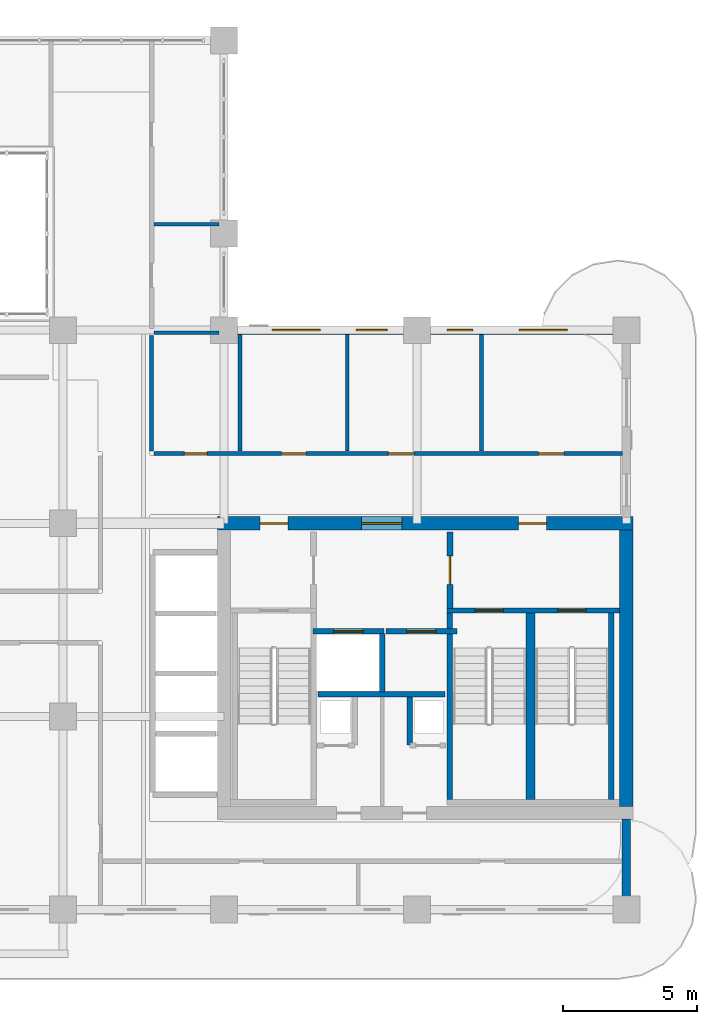
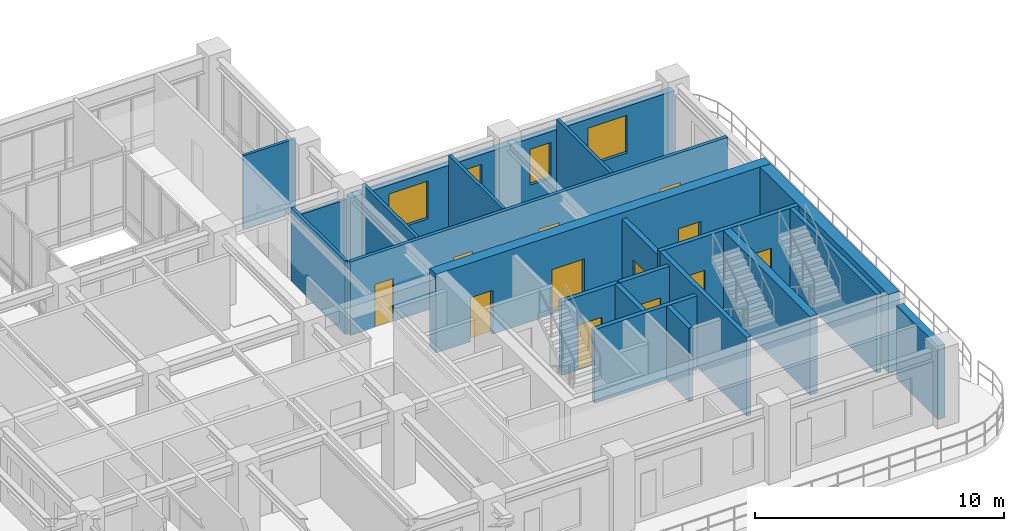
# One storey, part 13 of 20: 21 walls, 12 doors, 4 windows, 16 openings.
"""IFC4 building model written with IfcOpenShell, lengths in metres."""

from ifc_helpers import new_model, si_unit, derived_unit, direction, frame, frame_2d, origin, place, context, subcontext, project, spatial, rectangle, extrude, source, transform, mapped, material, layer, layer_set, type_object, type_shapes, element, fill, save


model = new_model("IFC4")

# Units and contexts
model_context = context("Model", 3, precision=1e-05, world=origin(), true_north=direction((0.0, 1.0)))
body_context = subcontext(model_context, "Body", "Model", "MODEL_VIEW")
ifc_project = project(units=[si_unit("LENGTHUNIT", "METRE"), si_unit("AREAUNIT", "SQUARE_METRE"), si_unit("VOLUMEUNIT", "CUBIC_METRE"), si_unit("PLANEANGLEUNIT", "RADIAN"), si_unit("MASSUNIT", "GRAM", prefix="KILO"), si_unit("THERMODYNAMICTEMPERATUREUNIT", "KELVIN"), si_unit("POWERUNIT", "WATT"), derived_unit("THERMALTRANSMITTANCEUNIT", [(si_unit("POWERUNIT", "WATT"), 1), (si_unit("AREAUNIT", "SQUARE_METRE"), -1), (si_unit("THERMODYNAMICTEMPERATUREUNIT", "KELVIN"), -1)])], contexts=[model_context])

# Site, building, storey
site_placement = place(None, origin())
site = spatial("IfcSite", under=ifc_project, at=site_placement, CompositionType="ELEMENT")
building_placement = place(site_placement, origin())
building = spatial("IfcBuilding", under=site, at=building_placement, Name="Zahravan Archway Hotel and Residences", CompositionType="ELEMENT")
storey_placement = place(building_placement, frame((0.0, 0.0, 154.14990234375)))
storey = spatial("IfcBuildingStorey", under=building, at=storey_placement, Name="L38", CompositionType="ELEMENT", Elevation=154.14990234375)

# Wall, openings, doors
ifc_material_1 = material(Name="Concrete C60/75", Category="concrete")
ifc_layer_1 = layer(ifc_material_1, 0.5, Name="Concrete C60/75", Category="concrete")
ifc_layer_set_1 = layer_set([ifc_layer_1], Name="Concrete C60/75")
wall_type_1 = type_object("IfcWallType", Name="CW-CORE-500", PredefinedType="SHEAR", material=ifc_layer_set_1)
wall_1_placement = place(storey_placement, frame((34.550048828125, 14.39990234375, 0.0), z_axis=(0.0, 0.0, 1.0), x_axis=(1.0, 0.0, 0.0)))
wall_1 = element("IfcWall", 1, at=wall_1_placement, inside=storey, type_object=wall_type_1, Name="L38 Core A Shear N Wall 500 mm", PredefinedType="SHEAR", context=body_context, shape_type="SweptSolid", body=[
    extrude(rectangle(XDim=15.5, YDim=0.5, at=frame_2d((7.75, 0.0))), origin(), (0.0, 0.0, 1.0), 3.85009765625),
])
opening_1_placement = place(wall_1_placement, frame((5.3798828125, 0.0, 0.0)))
opening_1 = element("IfcOpeningElement", 2, at=opening_1_placement, cuts=wall_1, Name="Opening FD-L1", PredefinedType="OPENING", context=body_context, shape_type="SweptSolid", body=[
    extrude(rectangle(XDim=1.5, YDim=2.199951171875, at=frame_2d((0.75, 1.10009765625))), frame((0.0, 0.260009765625, 0.0), z_axis=(0.0, -1.0, 0.0), x_axis=(1.0, 0.0, 0.0)), (0.0, 0.0, 1.0), 0.52001953125),
])
opening_2_placement = place(wall_1_placement, frame((1.594970703125, 0.0, 0.0)))
opening_2 = element("IfcOpeningElement", 3, at=opening_2_placement, cuts=wall_1, Name="Opening FD-L2", PredefinedType="OPENING", context=body_context, shape_type="SweptSolid", body=[
    extrude(rectangle(XDim=1.050048828125, YDim=2.14990234375, at=frame_2d((0.52490234375, 1.074951171875))), frame((0.0, 0.260009765625, 0.0), z_axis=(0.0, -1.0, 0.0), x_axis=(1.0, 0.0, 0.0)), (0.0, 0.0, 1.0), 0.52001953125),
])
opening_3_placement = place(wall_1_placement, frame((11.22509765625, 0.0, 0.0)))
opening_3 = element("IfcOpeningElement", 4, at=opening_3_placement, cuts=wall_1, Name="Opening FD-L2", PredefinedType="OPENING", context=body_context, shape_type="SweptSolid", body=[
    extrude(rectangle(XDim=1.050048828125, YDim=2.14990234375, at=frame_2d((0.52490234375, 1.074951171875))), frame((0.0, 0.260009765625, 0.0), z_axis=(0.0, -1.0, 0.0), x_axis=(1.0, 0.0, 0.0)), (0.0, 0.0, 1.0), 0.52001953125),
])
ifc_material_2 = material(Name="Fire-Rated Painted Steel", Category="steel")
door_type_1 = type_object("IfcDoorType", Name="FD-LOBBY-1100", OperationType="NOTDEFINED", PredefinedType="DOOR", material=ifc_material_2)
shared_shape_1 = source(origin(), body_context, "Body", "SweptSolid", [
    extrude(rectangle(XDim=1.050048828125, YDim=2.14990234375, at=frame_2d((0.52490234375, 1.074951171875))), frame((0.0, 0.02490234375, 0.0), z_axis=(0.0, -1.0, 0.0), x_axis=(1.0, 0.0, 0.0)), (0.0, 0.0, 1.0), 0.050048828125),
])
type_shapes(door_type_1, [shared_shape_1])
door_1_placement = place(opening_2_placement, origin())
door_1 = element("IfcDoor", 5, at=door_1_placement, inside=storey, type_object=door_type_1, Name="L38 Core A West Stair Lobby Door", OperationType="SINGLE_SWING_RIGHT", OverallHeight=2.14990234375, OverallWidth=1.050048828125, PredefinedType="DOOR", context=body_context, shape_type="MappedRepresentation", body=[
    mapped(shared_shape_1, transform((0.0, 0.0, 0.0), scale=1.0)),
])
fill(opening_2, door_1)
door_2_placement = place(opening_3_placement, origin())
door_2 = element("IfcDoor", 6, at=door_2_placement, inside=storey, type_object=door_type_1, Name="L38 Core A East Stair Lobby Door", OperationType="SINGLE_SWING_LEFT", OverallHeight=2.14990234375, OverallWidth=1.050048828125, PredefinedType="DOOR", context=body_context, shape_type="MappedRepresentation", body=[
    mapped(shared_shape_1, transform((0.0, 0.0, 0.0), scale=1.0)),
])
fill(opening_3, door_2)
door_type_2 = type_object("IfcDoorType", Name="FD-LOBBY-1500", OperationType="DOUBLE_DOOR_SINGLE_SWING", PredefinedType="DOOR", material=ifc_material_2)
shared_shape_2 = source(origin(), body_context, "Body", "SweptSolid", [
    extrude(rectangle(XDim=1.5, YDim=2.199951171875, at=frame_2d((0.75, 1.10009765625))), frame((0.0, 0.02490234375, 0.0), z_axis=(0.0, -1.0, 0.0), x_axis=(1.0, 0.0, 0.0)), (0.0, 0.0, 1.0), 0.050048828125),
])
type_shapes(door_type_2, [shared_shape_2])
door_3_placement = place(opening_1_placement, origin())
door_3 = element("IfcDoor", 7, at=door_3_placement, inside=storey, type_object=door_type_2, Name="L38 Core A FSAE Lobby Main Door", OperationType="DOUBLE_DOOR_SINGLE_SWING", OverallHeight=2.199951171875, OverallWidth=1.5, PredefinedType="DOOR", context=body_context, shape_type="MappedRepresentation", body=[
    mapped(shared_shape_2, transform((0.0, 0.0, 0.0), scale=1.0)),
])
fill(opening_1, door_3)

# Walls
wall_2_placement = place(storey_placement, frame((49.800048828125, 3.85009765625, 0.0), z_axis=(0.0, 0.0, 1.0), x_axis=(0.0, 1.0, 0.0)))
element("IfcWall", 8, at=wall_2_placement, inside=storey, type_object=wall_type_1, Name="L38 Core A Shear E Wall 500 mm", PredefinedType="SHEAR", context=body_context, shape_type="SweptSolid", body=[
    extrude(rectangle(XDim=10.2998046875, YDim=0.5, at=frame_2d((5.14990234375, 0.0))), origin(), (0.0, 0.0, 1.0), 3.85009765625),
])
ifc_material_3 = material(Name="Agra Buff Sandstone & Insulated Backup", Category="masonry")
ifc_layer_2 = layer(ifc_material_3, 0.320068359375, Name="Agra Buff Sandstone & Insulated Backup", Category="masonry")
ifc_layer_set_2 = layer_set([ifc_layer_2], Name="Agra Buff Sandstone & Insulated Backup")
wall_type_2 = type_object("IfcWallType", Name="EW-SAND-320", PredefinedType="SOLIDWALL", material=ifc_layer_set_2)
wall_3_placement = place(storey_placement, frame((49.800048828125, 0.050048828125, 0.0), z_axis=(0.0, 0.0, 1.0), x_axis=(0.0, 1.0, 0.0)))
element("IfcWall", 9, at=wall_3_placement, inside=storey, type_object=wall_type_2, Name="L38 Exterior Sandstone Wall WA-ES", PredefinedType="SOLIDWALL", context=body_context, shape_type="SweptSolid", body=[
    extrude(rectangle(XDim=3.329833984375, YDim=0.320068359375, at=frame_2d((1.6650390625, 0.0))), origin(), (0.0, 0.0, 1.0), 3.60009765625),
])

# Wall, openings, windows
wall_4_placement = place(storey_placement, frame((34.800048828125, 21.60009765625, 0.0), z_axis=(0.0, 0.0, 1.0), x_axis=(1.0, 0.0, 0.0)))
wall_4 = element("IfcWall", 10, at=wall_4_placement, inside=storey, type_object=wall_type_2, Name="L38 Exterior Sandstone Wall WA-NE", PredefinedType="SOLIDWALL", context=body_context, shape_type="SweptSolid", body=[
    extrude(rectangle(XDim=15.0, YDim=0.320068359375, at=frame_2d((7.5, 0.0))), origin(), (0.0, 0.0, 1.0), 3.085205078125),
])
opening_4_placement = place(wall_4_placement, frame((1.7958984375, 0.0, 0.800048828125)))
opening_4 = element("IfcOpeningElement", 11, at=opening_4_placement, cuts=wall_4, Name="Opening W-02", PredefinedType="OPENING", context=body_context, shape_type="SweptSolid", body=[
    extrude(rectangle(XDim=1.800048828125, YDim=1.85009765625, at=frame_2d((0.89990234375, 0.925048828125))), frame((0.0, 0.169921875, 0.0), z_axis=(0.0, -1.0, 0.0), x_axis=(1.0, 0.0, 0.0)), (0.0, 0.0, 1.0), 0.340087890625),
])
opening_5_placement = place(wall_4_placement, frame((4.928955078125, 0.0, 0.800048828125)))
opening_5 = element("IfcOpeningElement", 12, at=opening_5_placement, cuts=wall_4, Name="Opening W-05", PredefinedType="OPENING", context=body_context, shape_type="SweptSolid", body=[
    extrude(rectangle(XDim=1.14990234375, YDim=1.800048828125, at=frame_2d((0.574951171875, 0.89990234375))), frame((0.0, 0.169921875, 0.0), z_axis=(0.0, -1.0, 0.0), x_axis=(1.0, 0.0, 0.0)), (0.0, 0.0, 1.0), 0.340087890625),
])
opening_6_placement = place(wall_4_placement, frame((8.321044921875, 0.0, 0.800048828125)))
opening_6 = element("IfcOpeningElement", 13, at=opening_6_placement, cuts=wall_4, Name="Opening W-04", PredefinedType="OPENING", context=body_context, shape_type="SweptSolid", body=[
    extrude(rectangle(XDim=0.949951171875, YDim=1.75, at=frame_2d((0.47509765625, 0.875))), frame((0.0, 0.169921875, 0.0), z_axis=(0.0, -1.0, 0.0), x_axis=(1.0, 0.0, 0.0)), (0.0, 0.0, 1.0), 0.340087890625),
])
opening_7_placement = place(wall_4_placement, frame((11.00390625, 0.0, 0.800048828125)))
opening_7 = element("IfcOpeningElement", 14, at=opening_7_placement, cuts=wall_4, Name="Opening W-02", PredefinedType="OPENING", context=body_context, shape_type="SweptSolid", body=[
    extrude(rectangle(XDim=1.800048828125, YDim=1.85009765625, at=frame_2d((0.89990234375, 0.925048828125))), frame((0.0, 0.169921875, 0.0), z_axis=(0.0, -1.0, 0.0), x_axis=(1.0, 0.0, 0.0)), (0.0, 0.0, 1.0), 0.340087890625),
])
ifc_material_4 = material(Name="Bronze-Anodized Thermal-Break Aluminium & Low-E Glass", Category="aluminium")
window_type_1 = type_object("IfcWindowType", Name="WIN-NAR-950", PartitioningType="SINGLE_PANEL", PredefinedType="WINDOW", material=ifc_material_4)
shared_shape_3 = source(origin(), body_context, "Body", "SweptSolid", [
    extrude(rectangle(XDim=0.949951171875, YDim=1.75, at=frame_2d((0.47509765625, 0.875))), frame((0.0, 0.030029296875, 0.0), z_axis=(0.0, -1.0, 0.0), x_axis=(1.0, 0.0, 0.0)), (0.0, 0.0, 1.0), 0.06005859375),
])
type_shapes(window_type_1, [shared_shape_3])
window_1_placement = place(opening_6_placement, origin())
window_1 = element("IfcWindow", 15, at=window_1_placement, inside=storey, type_object=window_type_1, Name="L38 Loggia Window 13", OverallHeight=1.75, OverallWidth=0.949951171875, PartitioningType="SINGLE_PANEL", PredefinedType="WINDOW", context=body_context, shape_type="MappedRepresentation", body=[
    mapped(shared_shape_3, transform((0.0, 0.0, 0.0), scale=1.0)),
])
fill(opening_6, window_1)
window_type_2 = type_object("IfcWindowType", Name="WIN-TWR-1800", PartitioningType="DOUBLE_PANEL_VERTICAL", PredefinedType="WINDOW", material=ifc_material_4)
shared_shape_4 = source(origin(), body_context, "Body", "SweptSolid", [
    extrude(rectangle(XDim=1.800048828125, YDim=1.85009765625, at=frame_2d((0.89990234375, 0.925048828125))), frame((0.0, 0.030029296875, 0.0), z_axis=(0.0, -1.0, 0.0), x_axis=(1.0, 0.0, 0.0)), (0.0, 0.0, 1.0), 0.06005859375),
])
type_shapes(window_type_2, [shared_shape_4])
window_2_placement = place(opening_4_placement, origin())
window_2 = element("IfcWindow", 16, at=window_2_placement, inside=storey, type_object=window_type_2, Name="L38 Loggia Window 11", OverallHeight=1.85009765625, OverallWidth=1.800048828125, PartitioningType="DOUBLE_PANEL_VERTICAL", PredefinedType="WINDOW", context=body_context, shape_type="MappedRepresentation", body=[
    mapped(shared_shape_4, transform((0.0, 0.0, 0.0), scale=1.0)),
])
fill(opening_4, window_2)
window_3_placement = place(opening_7_placement, origin())
window_3 = element("IfcWindow", 17, at=window_3_placement, inside=storey, type_object=window_type_2, Name="L38 Loggia Window 14", OverallHeight=1.85009765625, OverallWidth=1.800048828125, PartitioningType="DOUBLE_PANEL_VERTICAL", PredefinedType="WINDOW", context=body_context, shape_type="MappedRepresentation", body=[
    mapped(shared_shape_4, transform((0.0, 0.0, 0.0), scale=1.0)),
])
fill(opening_7, window_3)
window_type_3 = type_object("IfcWindowType", Name="WIN-TWR-1150", PartitioningType="SINGLE_PANEL", PredefinedType="WINDOW", material=ifc_material_4)
shared_shape_5 = source(origin(), body_context, "Body", "SweptSolid", [
    extrude(rectangle(XDim=1.14990234375, YDim=1.800048828125, at=frame_2d((0.574951171875, 0.89990234375))), frame((0.0, 0.030029296875, 0.0), z_axis=(0.0, -1.0, 0.0), x_axis=(1.0, 0.0, 0.0)), (0.0, 0.0, 1.0), 0.06005859375),
])
type_shapes(window_type_3, [shared_shape_5])
window_4_placement = place(opening_5_placement, origin())
window_4 = element("IfcWindow", 18, at=window_4_placement, inside=storey, type_object=window_type_3, Name="L38 Loggia Window 12", OverallHeight=1.800048828125, OverallWidth=1.14990234375, PartitioningType="SINGLE_PANEL", PredefinedType="WINDOW", context=body_context, shape_type="MappedRepresentation", body=[
    mapped(shared_shape_5, transform((0.0, 0.0, 0.0), scale=1.0)),
])
fill(opening_5, window_4)

# Wall, opening, door
ifc_material_5 = material(Name="Fire-Rated Gypsum & Concrete Block", Category="concrete")
ifc_layer_3 = layer(ifc_material_5, 0.219970703125, Name="Fire-Rated Gypsum & Concrete Block", Category="concrete")
ifc_layer_set_3 = layer_set([ifc_layer_3], Name="Fire-Rated Gypsum & Concrete Block")
wall_type_3 = type_object("IfcWallType", Name="PW-COMP-220", PredefinedType="PARTITIONING", material=ifc_layer_set_3)
wall_5_placement = place(storey_placement, frame((43.219970703125, 11.219970703125, 0.0), z_axis=(0.0, 0.0, 1.0), x_axis=(0.0, 1.0, 0.0)))
wall_5 = element("IfcWall", 19, at=wall_5_placement, inside=storey, type_object=wall_type_3, Name="L38 Partition CA-LOBE", PredefinedType="PARTITIONING", context=body_context, shape_type="SweptSolid", body=[
    extrude(rectangle(XDim=2.860107421875, YDim=0.219970703125, at=frame_2d((1.43017578125, 0.0))), origin(), (0.0, 0.0, 1.0), 3.60009765625),
])
opening_8_placement = place(wall_5_placement, frame((0.905029296875, 0.0, 0.0)))
opening_8 = element("IfcOpeningElement", 20, at=opening_8_placement, cuts=wall_5, Name="Opening FD-L2", PredefinedType="OPENING", context=body_context, shape_type="SweptSolid", body=[
    extrude(rectangle(XDim=1.050048828125, YDim=2.14990234375, at=frame_2d((0.52490234375, 1.074951171875))), frame((0.0, 0.1201171875, 0.0), z_axis=(0.0, -1.0, 0.0), x_axis=(1.0, 0.0, 0.0)), (0.0, 0.0, 1.0), 0.239990234375),
])
door_4_placement = place(opening_8_placement, origin())
door_4 = element("IfcDoor", 21, at=door_4_placement, inside=storey, type_object=door_type_1, Name="L38 Core A East Stair to FSAE Lobby Door", OperationType="SINGLE_SWING_LEFT", OverallHeight=2.14990234375, OverallWidth=1.050048828125, PredefinedType="DOOR", context=body_context, shape_type="MappedRepresentation", body=[
    mapped(shared_shape_1, transform((0.0, 0.0, 0.0), scale=1.0)),
])
fill(opening_8, door_4)

# Wall, openings, doors
ifc_layer_4 = layer(ifc_material_5, 0.159912109375, Name="Fire-Rated Gypsum & Concrete Block", Category="concrete")
ifc_layer_set_4 = layer_set([ifc_layer_4], Name="Fire-Rated Gypsum & Concrete Block")
wall_type_4 = type_object("IfcWallType", Name="PW-CORR-160", PredefinedType="PARTITIONING", material=ifc_layer_set_4)
wall_6_placement = place(storey_placement, frame((32.18994140625, 17.0, 0.0), z_axis=(0.0, 0.0, 1.0), x_axis=(1.0, 0.0, 0.0)))
wall_6 = element("IfcWall", 22, at=wall_6_placement, inside=storey, type_object=wall_type_4, Name="L38 Partition WA-FN", PredefinedType="PARTITIONING", context=body_context, shape_type="SweptSolid", body=[
    extrude(rectangle(XDim=17.469970703125, YDim=0.159912109375, at=frame_2d((8.73486328125, 0.0))), origin(), (0.0, 0.0, 1.0), 3.60009765625),
])
opening_9_placement = place(wall_6_placement, frame((1.135009765625, 0.0, 0.0)))
opening_9 = element("IfcOpeningElement", 23, at=opening_9_placement, cuts=wall_6, Name="Opening D-B1", PredefinedType="OPENING", context=body_context, shape_type="SweptSolid", body=[
    extrude(rectangle(XDim=0.85009765625, YDim=2.10009765625, at=frame_2d((0.425048828125, 1.050048828125))), frame((0.0, 0.08984375, 0.0), z_axis=(0.0, -1.0, 0.0), x_axis=(1.0, 0.0, 0.0)), (0.0, 0.0, 1.0), 0.179931640625),
])
opening_10_placement = place(wall_6_placement, frame((4.760009765625, 0.0, 0.0)))
opening_10 = element("IfcOpeningElement", 24, at=opening_10_placement, cuts=wall_6, Name="Opening D-I2", PredefinedType="OPENING", context=body_context, shape_type="SweptSolid", body=[
    extrude(rectangle(XDim=0.89990234375, YDim=2.14990234375, at=frame_2d((0.449951171875, 1.074951171875))), frame((0.0, 0.08984375, 0.0), z_axis=(0.0, -1.0, 0.0), x_axis=(1.0, 0.0, 0.0)), (0.0, 0.0, 1.0), 0.179931640625),
])
opening_11_placement = place(wall_6_placement, frame((8.735107421875, 0.0, 0.0)))
opening_11 = element("IfcOpeningElement", 25, at=opening_11_placement, cuts=wall_6, Name="Opening D-I1", PredefinedType="OPENING", context=body_context, shape_type="SweptSolid", body=[
    extrude(rectangle(XDim=0.949951171875, YDim=2.14990234375, at=frame_2d((0.47509765625, 1.074951171875))), frame((0.0, 0.08984375, 0.0), z_axis=(0.0, -1.0, 0.0), x_axis=(1.0, 0.0, 0.0)), (0.0, 0.0, 1.0), 0.179931640625),
])
opening_12_placement = place(wall_6_placement, frame((14.3349609375, 0.0, 0.0)))
opening_12 = element("IfcOpeningElement", 26, at=opening_12_placement, cuts=wall_6, Name="Opening D-I1", PredefinedType="OPENING", context=body_context, shape_type="SweptSolid", body=[
    extrude(rectangle(XDim=0.949951171875, YDim=2.14990234375, at=frame_2d((0.47509765625, 1.074951171875))), frame((0.0, 0.08984375, 0.0), z_axis=(0.0, -1.0, 0.0), x_axis=(1.0, 0.0, 0.0)), (0.0, 0.0, 1.0), 0.179931640625),
])
ifc_material_6 = material(Name="Hardwood Veneer Timber", Category="wood")
door_type_3 = type_object("IfcDoorType", Name="ID-BATH-850", OperationType="NOTDEFINED", PredefinedType="DOOR", material=ifc_material_6)
shared_shape_6 = source(origin(), body_context, "Body", "SweptSolid", [
    extrude(rectangle(XDim=0.85009765625, YDim=2.10009765625, at=frame_2d((0.425048828125, 1.050048828125))), frame((0.0, 0.02490234375, 0.0), z_axis=(0.0, -1.0, 0.0), x_axis=(1.0, 0.0, 0.0)), (0.0, 0.0, 1.0), 0.050048828125),
])
type_shapes(door_type_3, [shared_shape_6])
door_5_placement = place(opening_9_placement, origin())
door_5 = element("IfcDoor", 27, at=door_5_placement, inside=storey, type_object=door_type_3, Name="L38 Accessible WC Door", OperationType="SINGLE_SWING_RIGHT", OverallHeight=2.10009765625, OverallWidth=0.85009765625, PredefinedType="DOOR", context=body_context, shape_type="MappedRepresentation", body=[
    mapped(shared_shape_6, transform((0.0, 0.0, 0.0), scale=1.0)),
])
fill(opening_9, door_5)
door_type_4 = type_object("IfcDoorType", Name="ID-INT-950", OperationType="NOTDEFINED", PredefinedType="DOOR", material=ifc_material_6)
shared_shape_7 = source(origin(), body_context, "Body", "SweptSolid", [
    extrude(rectangle(XDim=0.949951171875, YDim=2.14990234375, at=frame_2d((0.47509765625, 1.074951171875))), frame((0.0, 0.02490234375, 0.0), z_axis=(0.0, -1.0, 0.0), x_axis=(1.0, 0.0, 0.0)), (0.0, 0.0, 1.0), 0.050048828125),
])
type_shapes(door_type_4, [shared_shape_7])
door_6_placement = place(opening_11_placement, origin())
door_6 = element("IfcDoor", 28, at=door_6_placement, inside=storey, type_object=door_type_4, Name="L38 Boardroom Door", OperationType="SINGLE_SWING_RIGHT", OverallHeight=2.14990234375, OverallWidth=0.949951171875, PredefinedType="DOOR", context=body_context, shape_type="MappedRepresentation", body=[
    mapped(shared_shape_7, transform((0.0, 0.0, 0.0), scale=1.0)),
])
fill(opening_11, door_6)
door_7_placement = place(opening_12_placement, origin())
door_7 = element("IfcDoor", 29, at=door_7_placement, inside=storey, type_object=door_type_4, Name="L38 Therapy Clinic Door", OperationType="SINGLE_SWING_LEFT", OverallHeight=2.14990234375, OverallWidth=0.949951171875, PredefinedType="DOOR", context=body_context, shape_type="MappedRepresentation", body=[
    mapped(shared_shape_7, transform((0.0, 0.0, 0.0), scale=1.0)),
])
fill(opening_12, door_7)
door_type_5 = type_object("IfcDoorType", Name="ID-INT-900", OperationType="NOTDEFINED", PredefinedType="DOOR", material=ifc_material_6)
shared_shape_8 = source(origin(), body_context, "Body", "SweptSolid", [
    extrude(rectangle(XDim=0.89990234375, YDim=2.14990234375, at=frame_2d((0.449951171875, 1.074951171875))), frame((0.0, 0.02490234375, 0.0), z_axis=(0.0, -1.0, 0.0), x_axis=(1.0, 0.0, 0.0)), (0.0, 0.0, 1.0), 0.050048828125),
])
type_shapes(door_type_5, [shared_shape_8])
door_8_placement = place(opening_10_placement, origin())
door_8 = element("IfcDoor", 30, at=door_8_placement, inside=storey, type_object=door_type_5, Name="L38 Pantry Door", OperationType="SINGLE_SWING_LEFT", OverallHeight=2.14990234375, OverallWidth=0.89990234375, PredefinedType="DOOR", context=body_context, shape_type="MappedRepresentation", body=[
    mapped(shared_shape_8, transform((0.0, 0.0, 0.0), scale=1.0)),
])
fill(opening_10, door_8)

# Walls
ifc_material_7 = material(Name="Acoustic Stud Partition")
ifc_layer_5 = layer(ifc_material_7, 0.125, Name="Acoustic Stud Partition")
ifc_layer_set_5 = layer_set([ifc_layer_5], Name="Acoustic Stud Partition")
wall_type_5 = type_object("IfcWallType", Name="PW-INT-125", PredefinedType="PARTITIONING", material=ifc_layer_set_5)
wall_7_placement = place(storey_placement, frame((32.18994140625, 25.550048828125, 0.0), z_axis=(0.0, 0.0, 1.0), x_axis=(1.0, 0.0, 0.0)))
element("IfcWall", 31, at=wall_7_placement, inside=storey, type_object=wall_type_5, Name="L38 Partition ATR-EM1", PredefinedType="PARTITIONING", context=body_context, shape_type="SweptSolid", body=[
    extrude(rectangle(XDim=2.420166015625, YDim=0.125, at=frame_2d((1.2099609375, 0.0))), origin(), (0.0, 0.0, 1.0), 3.60009765625),
])
ifc_layer_6 = layer(ifc_material_5, 0.199951171875, Name="Fire-Rated Gypsum & Concrete Block", Category="concrete")
ifc_layer_set_6 = layer_set([ifc_layer_6], Name="Fire-Rated Gypsum & Concrete Block")
wall_type_6 = type_object("IfcWallType", Name="PW-SHAFT-200", PredefinedType="PARTITIONING", material=ifc_layer_set_6)
wall_8_placement = place(storey_placement, frame((38.300048828125, 8.030029296875, 0.0), z_axis=(0.0, 0.0, 1.0), x_axis=(1.0, 0.0, 0.0)))
element("IfcWall", 32, at=wall_8_placement, inside=storey, type_object=wall_type_6, Name="L38 Partition CA-FLS", PredefinedType="PARTITIONING", context=body_context, shape_type="SweptSolid", body=[
    extrude(rectangle(XDim=4.739990234375, YDim=0.199951171875, at=frame_2d((2.3701171875, 0.0))), origin(), (0.0, 0.0, 1.0), 3.60009765625),
])
wall_9_placement = place(storey_placement, frame((40.699951171875, 8.1201171875, 0.0), z_axis=(0.0, 0.0, 1.0), x_axis=(0.0, 1.0, 0.0)))
element("IfcWall", 33, at=wall_9_placement, inside=storey, type_object=wall_type_6, Name="L38 Partition CA-FLM", PredefinedType="PARTITIONING", context=body_context, shape_type="SweptSolid", body=[
    extrude(rectangle(XDim=2.179931640625, YDim=0.199951171875, at=frame_2d((1.08984375, 0.0))), origin(), (0.0, 0.0, 1.0), 3.60009765625),
])
wall_10_placement = place(storey_placement, frame((41.719970703125, 6.1298828125, 0.0), z_axis=(0.0, 0.0, 1.0), x_axis=(0.0, 1.0, 0.0)))
element("IfcWall", 34, at=wall_10_placement, inside=storey, type_object=wall_type_6, Name="L38 Partition CA-MEPW", PredefinedType="PARTITIONING", context=body_context, shape_type="SweptSolid", body=[
    extrude(rectangle(XDim=1.7900390625, YDim=0.199951171875, at=frame_2d((0.89501953125, 0.0))), origin(), (0.0, 0.0, 1.0), 3.60009765625),
])

# Wall, opening, door
wall_11_placement = place(storey_placement, frame((38.1201171875, 10.3701171875, 0.0), z_axis=(0.0, 0.0, 1.0), x_axis=(1.0, 0.0, 0.0)))
wall_11 = element("IfcWall", 35, at=wall_11_placement, inside=storey, type_object=wall_type_6, Name="L38 Lift FL-1 Front Wall", PredefinedType="PARTITIONING", context=body_context, shape_type="SweptSolid", body=[
    extrude(rectangle(XDim=2.639892578125, YDim=0.199951171875, at=frame_2d((1.31982421875, 0.0))), origin(), (0.0, 0.0, 1.0), 3.60009765625),
])
opening_13_placement = place(wall_11_placement, frame((0.77001953125, 0.0, 0.0)))
opening_13 = element("IfcOpeningElement", 36, at=opening_13_placement, cuts=wall_11, Name="Opening LD", PredefinedType="OPENING", context=body_context, shape_type="SweptSolid", body=[
    extrude(rectangle(XDim=1.10009765625, YDim=2.199951171875, at=frame_2d((0.550048828125, 1.10009765625))), frame((0.0, 0.10986328125, 0.0), z_axis=(0.0, -1.0, 0.0), x_axis=(1.0, 0.0, 0.0)), (0.0, 0.0, 1.0), 0.219970703125),
])
ifc_material_8 = material(Name="Brushed Stainless Steel", Category="steel")
door_type_6 = type_object("IfcDoorType", Name="DR-LIFT-LD", OperationType="SLIDING_TO_LEFT", PredefinedType="DOOR", material=ifc_material_8)
shared_shape_9 = source(origin(), body_context, "Body", "SweptSolid", [
    extrude(rectangle(XDim=1.10009765625, YDim=2.199951171875, at=frame_2d((0.550048828125, 1.10009765625))), frame((0.0, 0.02490234375, 0.0), z_axis=(0.0, -1.0, 0.0), x_axis=(1.0, 0.0, 0.0)), (0.0, 0.0, 1.0), 0.050048828125),
])
type_shapes(door_type_6, [shared_shape_9])
door_9_placement = place(opening_13_placement, origin())
door_9 = element("IfcDoor", 37, at=door_9_placement, inside=storey, type_object=door_type_6, Name="L38 Lift FL-1 Sliding Landing Door", OperationType="SLIDING_TO_LEFT", OverallHeight=2.199951171875, OverallWidth=1.10009765625, PredefinedType="DOOR", context=body_context, shape_type="MappedRepresentation", body=[
    mapped(shared_shape_9, transform((0.0, 0.0, 0.0), scale=1.0)),
])
fill(opening_13, door_9)

wall_12_placement = place(storey_placement, frame((40.840087890625, 10.3701171875, 0.0), z_axis=(0.0, 0.0, 1.0), x_axis=(1.0, 0.0, 0.0)))
wall_12 = element("IfcWall", 38, at=wall_12_placement, inside=storey, type_object=wall_type_6, Name="L38 Lift FL-2 Front Wall", PredefinedType="PARTITIONING", context=body_context, shape_type="SweptSolid", body=[
    extrude(rectangle(XDim=2.639892578125, YDim=0.199951171875, at=frame_2d((1.31982421875, 0.0))), origin(), (0.0, 0.0, 1.0), 3.60009765625),
])
opening_14_placement = place(wall_12_placement, frame((0.77001953125, 0.0, 0.0)))
opening_14 = element("IfcOpeningElement", 39, at=opening_14_placement, cuts=wall_12, Name="Opening LD", PredefinedType="OPENING", context=body_context, shape_type="SweptSolid", body=[
    extrude(rectangle(XDim=1.10009765625, YDim=2.199951171875, at=frame_2d((0.550048828125, 1.10009765625))), frame((0.0, 0.10986328125, 0.0), z_axis=(0.0, -1.0, 0.0), x_axis=(1.0, 0.0, 0.0)), (0.0, 0.0, 1.0), 0.219970703125),
])
door_10_placement = place(opening_14_placement, origin())
door_10 = element("IfcDoor", 40, at=door_10_placement, inside=storey, type_object=door_type_6, Name="L38 Lift FL-2 Sliding Landing Door", OperationType="SLIDING_TO_LEFT", OverallHeight=2.199951171875, OverallWidth=1.10009765625, PredefinedType="DOOR", context=body_context, shape_type="MappedRepresentation", body=[
    mapped(shared_shape_9, transform((0.0, 0.0, 0.0), scale=1.0)),
])
fill(opening_14, door_10)

# Walls
ifc_material_9 = material(Name="Moisture-Resistant Blockwork", Category="masonry")
ifc_layer_7 = layer(ifc_material_9, 0.139892578125, Name="Moisture-Resistant Blockwork", Category="masonry")
ifc_layer_set_7 = layer_set([ifc_layer_7], Name="Moisture-Resistant Blockwork")
wall_type_7 = type_object("IfcWallType", Name="PW-WET-140", PredefinedType="PARTITIONING", material=ifc_layer_set_7)
wall_13_placement = place(storey_placement, frame((32.10009765625, 17.090087890625, 0.0), z_axis=(0.0, 0.0, 1.0), x_axis=(0.0, 1.0, 0.0)))
element("IfcWall", 41, at=wall_13_placement, inside=storey, type_object=wall_type_7, Name="L38 Partition NE-W0", PredefinedType="PARTITIONING", context=body_context, shape_type="SweptSolid", body=[
    extrude(rectangle(XDim=4.31982421875, YDim=0.139892578125, at=frame_2d((2.159912109375, 0.0))), origin(), (0.0, 0.0, 1.0), 3.60009765625),
])
for number, where, z_axis, x_axis, name in (
    (42, (35.39990234375, 17.090087890625, 0.0), (0.0, 0.0, 1.0), (0.0, 1.0, 0.0), "L38 Partition NE2-1"),
    (43, (39.39990234375, 17.090087890625, 0.0), (0.0, 0.0, 1.0), (0.0, 1.0, 0.0), "L38 Partition NE2-2"),
    (44, (44.39990234375, 17.090087890625, 0.0), (0.0, 0.0, 1.0), (0.0, 1.0, 0.0), "L38 Partition NE2-3"),
):
    element("IfcWall", number, at=place(storey_placement, frame(where, z_axis=z_axis, x_axis=x_axis)), inside=storey, type_object=wall_type_7, Name=name, PredefinedType="PARTITIONING", context=body_context, shape_type="SweptSolid", body=[
        extrude(rectangle(XDim=4.341796875, YDim=0.139892578125, at=frame_2d((2.1708984375, 0.0))), origin(), (0.0, 0.0, 1.0), 3.60009765625),
    ])
wall_14_placement = place(storey_placement, frame((32.18994140625, 21.5, 0.0), z_axis=(0.0, 0.0, 1.0), x_axis=(1.0, 0.0, 0.0)))
element("IfcWall", 45, at=wall_14_placement, inside=storey, type_object=wall_type_7, Name="L38 Partition ATR-ES", PredefinedType="PARTITIONING", context=body_context, shape_type="SweptSolid", body=[
    extrude(rectangle(XDim=2.420166015625, YDim=0.139892578125, at=frame_2d((1.2099609375, 0.0))), origin(), (0.0, 0.0, 1.0), 3.085205078125),
])
ifc_material_10 = material(Name="Concrete C50/60", Category="concrete")
ifc_layer_8 = layer(ifc_material_10, 0.199951171875, Name="Concrete C50/60", Category="concrete")
ifc_layer_set_8 = layer_set([ifc_layer_8], Name="Concrete C50/60")
wall_type_8 = type_object("IfcWallType", Name="SW-STAIR-200", PredefinedType="SHEAR", material=ifc_layer_set_8)
for number, where, z_axis, x_axis, name in (
    (46, (43.219970703125, 4.10009765625, 0.0), (0.0, 0.0, 1.0), (0.0, 1.0, 0.0), "L38 Stairwell RC Wall CA-SA2W"),
    (47, (49.239990234375, 4.10009765625, 0.0), (0.0, 0.0, 1.0), (0.0, 1.0, 0.0), "L38 Stairwell RC Wall CA-SA3E"),
):
    element("IfcWall", number, at=place(storey_placement, frame(where, z_axis=z_axis, x_axis=x_axis)), inside=storey, type_object=wall_type_8, Name=name, PredefinedType="SHEAR", context=body_context, shape_type="SweptSolid", body=[
        extrude(rectangle(XDim=6.949951171875, YDim=0.199951171875, at=frame_2d((3.47509765625, 0.0))), origin(), (0.0, 0.0, 1.0), 3.85009765625),
    ])

# Wall, openings, doors
wall_15_placement = place(storey_placement, frame((43.1201171875, 11.14990234375, 0.0), z_axis=(0.0, 0.0, 1.0), x_axis=(1.0, 0.0, 0.0)))
wall_15 = element("IfcWall", 48, at=wall_15_placement, inside=storey, type_object=wall_type_8, Name="L38 Stairwell RC Wall CA-SA23N", PredefinedType="SHEAR", context=body_context, shape_type="SweptSolid", body=[
    extrude(rectangle(XDim=6.429931640625, YDim=0.199951171875, at=frame_2d((3.21484375, 0.0))), origin(), (0.0, 0.0, 1.0), 3.85009765625),
])
opening_15_placement = place(wall_15_placement, frame((1.044921875, 0.0, 0.0)))
opening_15 = element("IfcOpeningElement", 49, at=opening_15_placement, cuts=wall_15, Name="Opening FD-S1", PredefinedType="OPENING", context=body_context, shape_type="SweptSolid", body=[
    extrude(rectangle(XDim=1.050048828125, YDim=2.199951171875, at=frame_2d((0.52490234375, 1.10009765625))), frame((0.0, 0.10986328125, 0.0), z_axis=(0.0, -1.0, 0.0), x_axis=(1.0, 0.0, 0.0)), (0.0, 0.0, 1.0), 0.219970703125),
])
opening_16_placement = place(wall_15_placement, frame((4.125, 0.0, 0.0)))
opening_16 = element("IfcOpeningElement", 50, at=opening_16_placement, cuts=wall_15, Name="Opening FD-S1", PredefinedType="OPENING", context=body_context, shape_type="SweptSolid", body=[
    extrude(rectangle(XDim=1.050048828125, YDim=2.199951171875, at=frame_2d((0.52490234375, 1.10009765625))), frame((0.0, 0.10986328125, 0.0), z_axis=(0.0, -1.0, 0.0), x_axis=(1.0, 0.0, 0.0)), (0.0, 0.0, 1.0), 0.219970703125),
])
door_type_7 = type_object("IfcDoorType", Name="FD-STAIR-1100", OperationType="NOTDEFINED", PredefinedType="DOOR", material=ifc_material_2)
shared_shape_10 = source(origin(), body_context, "Body", "SweptSolid", [
    extrude(rectangle(XDim=1.050048828125, YDim=2.199951171875, at=frame_2d((0.52490234375, 1.10009765625))), frame((0.0, 0.02490234375, 0.0), z_axis=(0.0, -1.0, 0.0), x_axis=(1.0, 0.0, 0.0)), (0.0, 0.0, 1.0), 0.050048828125),
])
type_shapes(door_type_7, [shared_shape_10])
door_11_placement = place(opening_15_placement, origin())
door_11 = element("IfcDoor", 51, at=door_11_placement, inside=storey, type_object=door_type_7, Name="L38 Stair ST-A2 Door", OperationType="SINGLE_SWING_RIGHT", OverallHeight=2.199951171875, OverallWidth=1.050048828125, PredefinedType="DOOR", context=body_context, shape_type="MappedRepresentation", body=[
    mapped(shared_shape_10, transform((0.0, 0.0, 0.0), scale=1.0)),
])
fill(opening_15, door_11)
door_12_placement = place(opening_16_placement, origin())
door_12 = element("IfcDoor", 52, at=door_12_placement, inside=storey, type_object=door_type_7, Name="L38 Stair ST-A3 Door", OperationType="SINGLE_SWING_LEFT", OverallHeight=2.199951171875, OverallWidth=1.050048828125, PredefinedType="DOOR", context=body_context, shape_type="MappedRepresentation", body=[
    mapped(shared_shape_10, transform((0.0, 0.0, 0.0), scale=1.0)),
])
fill(opening_16, door_12)

# Wall
ifc_layer_9 = layer(ifc_material_10, 0.340087890625, Name="Concrete C50/60", Category="concrete")
ifc_layer_set_9 = layer_set([ifc_layer_9], Name="Concrete C50/60")
wall_type_9 = type_object("IfcWallType", Name="SW-STAIR-340", PredefinedType="SHEAR", material=ifc_layer_set_9)
wall_16_placement = place(storey_placement, frame((46.22998046875, 4.10009765625, 0.0), z_axis=(0.0, 0.0, 1.0), x_axis=(0.0, 1.0, 0.0)))
element("IfcWall", 53, at=wall_16_placement, inside=storey, type_object=wall_type_9, Name="L38 Stairwell RC Wall CA-SA23M", PredefinedType="SHEAR", context=body_context, shape_type="SweptSolid", body=[
    extrude(rectangle(XDim=6.949951171875, YDim=0.340087890625, at=frame_2d((3.47509765625, 0.0))), origin(), (0.0, 0.0, 1.0), 3.85009765625),
])

save(model, "model.ifc")
